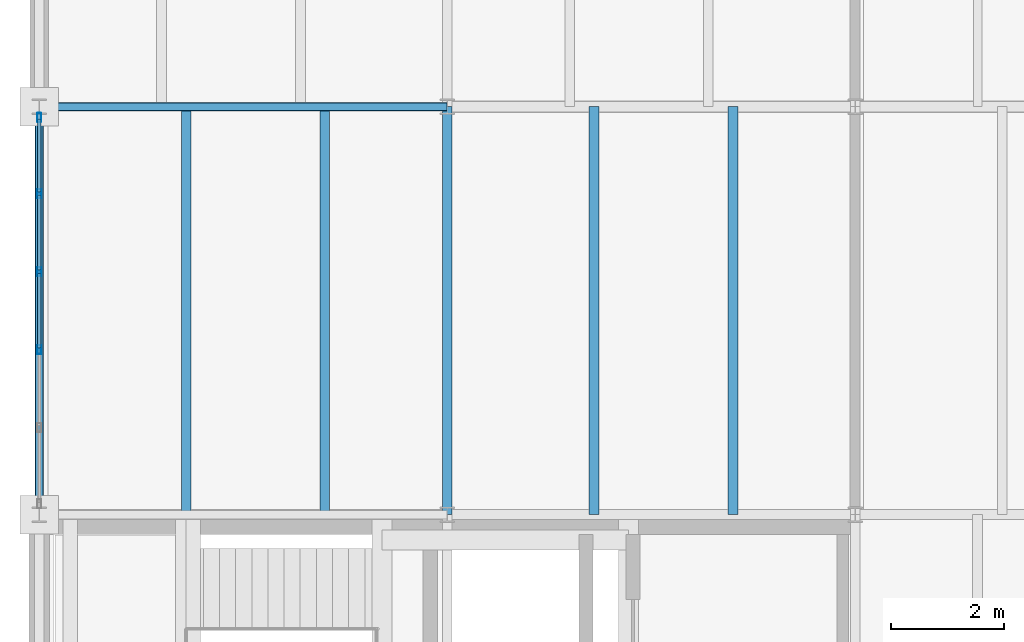
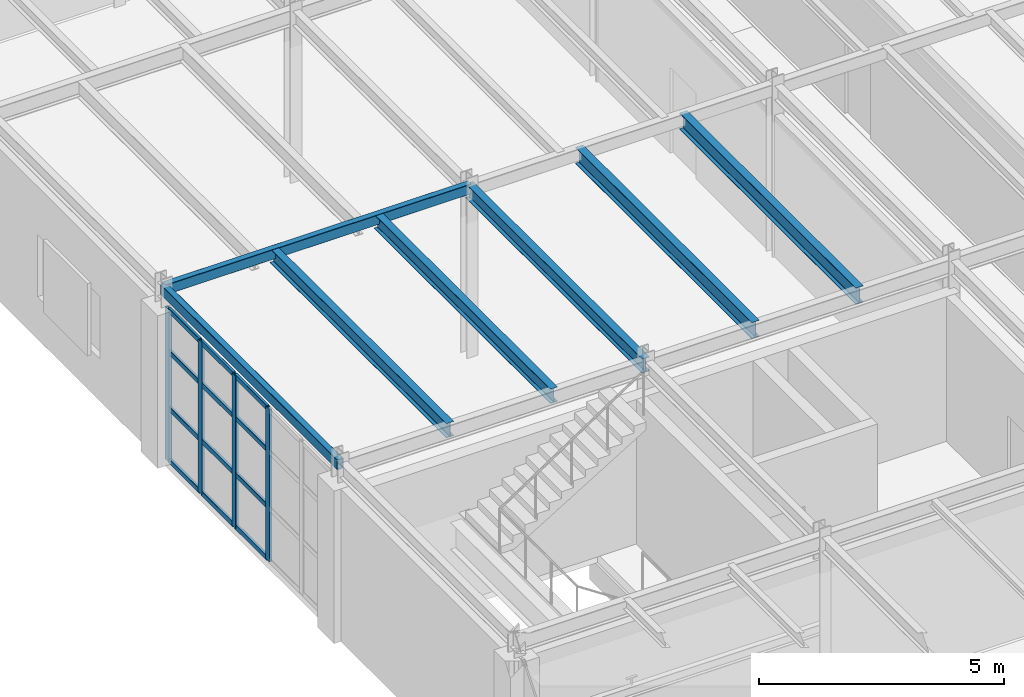
# One storey, part 21 of 101: 16 members, 7 beams, 1 element without a shape of its own.
"""IFC4 building model written with IfcOpenShell, lengths in metres."""

from ifc_helpers import new_model, si_unit, direction, frame, origin, origin_2d, place, context, subcontext, project, spatial, hollow_rectangle, i_section, extrude, material, layer, layer_set, material_profile, profile_set, type_object, element, aggregate, save


model = new_model("IFC4")

# Units and contexts
model_context = context("Model", 3, precision=1e-05, world=origin(), true_north=direction((0.0, 1.0)))
body_context = subcontext(model_context, "Body", "Model", "MODEL_VIEW")
ifc_project = project(units=[si_unit("LENGTHUNIT", "METRE"), si_unit("AREAUNIT", "SQUARE_METRE"), si_unit("VOLUMEUNIT", "CUBIC_METRE"), si_unit("PLANEANGLEUNIT", "RADIAN"), si_unit("MASSUNIT", "GRAM", prefix="KILO")], contexts=[model_context])

# Site, building, storey
site_placement = place(None, origin())
site = spatial("IfcSite", under=ifc_project, at=site_placement, CompositionType="ELEMENT")
building_placement = place(site_placement, origin())
building = spatial("IfcBuilding", under=site, at=building_placement, Name="Kemerveld Promenade Tramway Depot", CompositionType="ELEMENT")
storey_placement = place(building_placement, frame((0.0, 0.0, 9.89990234375)))
storey = spatial("IfcBuildingStorey", under=building, at=storey_placement, Name="L02", CompositionType="ELEMENT", Elevation=9.89990234375)

# Beams
ifc_material_1 = material(Name="Steel S355", Category="steel")
ifc_material_profile_1 = material_profile(ifc_material_1, i_section(OverallWidth=0.172119140625, OverallDepth=0.35791015625, WebThickness=0.008056640625, FlangeThickness=0.012939453125, FilletRadius=0.01025390625, at=origin_2d()), Name="356x171x57 UB")
ifc_profile_set_1 = profile_set([ifc_material_profile_1], Name="Steel S355")
beam_type_1 = type_object("IfcBeamType", Name="BM-G08", PredefinedType="BEAM", material=ifc_profile_set_1)
beam_1_placement = place(storey_placement, frame((7.199951171875, 21.60009765625, 4.10107421875), z_axis=(0.0, 1.0, 0.0), x_axis=(-1.0, 0.0, 0.0)))
element("IfcBeam", 1, at=beam_1_placement, inside=storey, type_object=beam_type_1, Name="BMY-L02-02-D-E", PredefinedType="BEAM", context=body_context, shape_type="SweptSolid", body=[
    extrude(i_section(OverallWidth=0.172119140625, OverallDepth=0.35791015625, WebThickness=0.008056640625, FlangeThickness=0.012939453125, FilletRadius=0.01025390625, at=origin_2d()), origin(), (0.0, 0.0, 1.0), 7.199951171875),
])
ifc_material_profile_2 = material_profile(ifc_material_1, hollow_rectangle(XDim=0.14990234375, YDim=0.25, WallThickness=0.010009765625, InnerFilletRadius=0.0048828125, OuterFilletRadius=0.014892578125, at=origin_2d()), Name="250x150x10.0 RHS")
ifc_profile_set_2 = profile_set([ifc_material_profile_2], Name="Steel S355")
beam_type_2 = type_object("IfcBeamType", Name="BM-G17", PredefinedType="BEAM", material=ifc_profile_set_2)
beam_2_placement = place(storey_placement, frame((0.0, 28.800048828125, 4.16015625), z_axis=(1.0, 0.0, 0.0), x_axis=(0.0, 1.0, 0.0)))
element("IfcBeam", 2, at=beam_2_placement, inside=storey, type_object=beam_type_2, Name="BMX-L02-01-02-E", PredefinedType="BEAM", context=body_context, shape_type="SweptSolid", body=[
    extrude(hollow_rectangle(XDim=0.14990234375, YDim=0.25, WallThickness=0.010009765625, InnerFilletRadius=0.0048828125, OuterFilletRadius=0.014892578125, at=origin_2d()), origin(), (0.0, 0.0, 1.0), 7.199951171875),
])
ifc_material_profile_3 = material_profile(ifc_material_1, i_section(OverallWidth=0.172119140625, OverallDepth=0.35791015625, WebThickness=0.008056640625, FlangeThickness=0.012939453125, FilletRadius=0.01025390625, at=origin_2d()), Name="356x171x57 UB")
ifc_profile_set_3 = profile_set([ifc_material_profile_3], Name="Steel S355")
beam_type_3 = type_object("IfcBeamType", Name="BM-J04", PredefinedType="JOIST", material=ifc_profile_set_3)
for number, where, z_axis, x_axis, name in (
    (3, (2.592041015625, 21.60009765625, 4.10107421875), (0.0, 1.0, 0.0), (-1.0, 0.0, 0.0), "JST-L02-01-D-1"),
    (4, (5.0400390625, 21.60009765625, 4.10107421875), (0.0, 1.0, 0.0), (-1.0, 0.0, 0.0), "JST-L02-01-D-2"),
):
    element("IfcBeam", number, at=place(storey_placement, frame(where, z_axis=z_axis, x_axis=x_axis)), inside=storey, type_object=beam_type_3, Name=name, PredefinedType="JOIST", context=body_context, shape_type="SweptSolid", body=[
        extrude(i_section(OverallWidth=0.172119140625, OverallDepth=0.35791015625, WebThickness=0.008056640625, FlangeThickness=0.012939453125, FilletRadius=0.01025390625, at=origin_2d()), origin(), (0.0, 0.0, 1.0), 7.199951171875),
    ])
ifc_material_profile_4 = material_profile(ifc_material_1, i_section(OverallWidth=0.1787109375, OverallDepth=0.409423828125, WebThickness=0.0087890625, FlangeThickness=0.014404296875, FilletRadius=0.01025390625, at=origin_2d()), Name="406x178x67 UB")
ifc_profile_set_4 = profile_set([ifc_material_profile_4], Name="Steel S355")
beam_type_4 = type_object("IfcBeamType", Name="BM-J05", PredefinedType="JOIST", material=ifc_profile_set_4)
for number, where, z_axis, x_axis, name in (
    (5, (9.7919921875, 21.60009765625, 4.075439453125), (0.0, 1.0, 0.0), (-1.0, 0.0, 0.0), "JST-L02-02-D-1"),
    (6, (12.239990234375, 21.60009765625, 4.075439453125), (0.0, 1.0, 0.0), (-1.0, 0.0, 0.0), "JST-L02-02-D-2"),
):
    element("IfcBeam", number, at=place(storey_placement, frame(where, z_axis=z_axis, x_axis=x_axis)), inside=storey, type_object=beam_type_4, Name=name, PredefinedType="JOIST", context=body_context, shape_type="SweptSolid", body=[
        extrude(i_section(OverallWidth=0.1787109375, OverallDepth=0.409423828125, WebThickness=0.0087890625, FlangeThickness=0.014404296875, FilletRadius=0.01025390625, at=origin_2d()), origin(), (0.0, 0.0, 1.0), 7.199951171875),
    ])
ifc_material_profile_5 = material_profile(ifc_material_1, hollow_rectangle(XDim=0.14990234375, YDim=0.25, WallThickness=0.010009765625, InnerFilletRadius=0.0048828125, OuterFilletRadius=0.014892578125, at=origin_2d()), Name="250x150x10.0 RHS")
ifc_profile_set_5 = profile_set([ifc_material_profile_5], Name="Steel S355")
beam_type_5 = type_object("IfcBeamType", Name="BM-SP2", PredefinedType="SPANDREL", material=ifc_profile_set_5)
beam_3_placement = place(storey_placement, frame((0.0, 21.60009765625, 4.155029296875), z_axis=(0.0, 1.0, 0.0), x_axis=(-1.0, 0.0, 0.0)))
element("IfcBeam", 7, at=beam_3_placement, inside=storey, type_object=beam_type_5, Name="BMY-L02-01-D-E", PredefinedType="SPANDREL", context=body_context, shape_type="SweptSolid", body=[
    extrude(hollow_rectangle(XDim=0.14990234375, YDim=0.25, WallThickness=0.010009765625, InnerFilletRadius=0.0048828125, OuterFilletRadius=0.014892578125, at=origin_2d()), origin(), (0.0, 0.0, 1.0), 7.199951171875),
])

# Curtain wall, members
ifc_material_2 = material(Name="Bronze anodised aluminium and solar glass", Category="aluminium")
ifc_layer = layer(ifc_material_2, 0.159912109375)
ifc_layer_set = layer_set([ifc_layer], Name="CW-SYS-07")
curtain_wall_type = type_object("IfcCurtainWallType", Name="CW-SYS-07", PredefinedType="USERDEFINED", material=ifc_layer_set)
curtain_wall_placement = place(storey_placement, origin())
curtain_wall = element("IfcCurtainWall", 8, at=curtain_wall_placement, inside=storey, type_object=curtain_wall_type, Name="CW-L02-V5W-04", ObjectType="GLAZED_CURTAIN_WALL", PredefinedType="USERDEFINED")
ifc_material_3 = material(Name="Bronze anodised aluminium", Category="aluminium")
ifc_material_profile_6 = material_profile(ifc_material_3, hollow_rectangle(XDim=0.06494140625, YDim=0.159912109375, WallThickness=0.00390625, InnerFilletRadius=0.001953125, OuterFilletRadius=0.00390625, at=origin_2d()), Name="CW-MUL-160x65")
ifc_profile_set_6 = profile_set([ifc_material_profile_6], Name="Bronze anodised aluminium")
member_type_1 = type_object("IfcMemberType", Name="CW-MUL-A", PredefinedType="MULLION", material=ifc_profile_set_6)
member_1_placement = place(storey_placement, frame((0.0, 24.51171875, 0.0), z_axis=(0.0, 0.0, 1.0), x_axis=(-1.0, 0.0, 0.0)))
member_1 = element("IfcMember", 9, at=member_1_placement, type_object=member_type_1, Name="CW07 mullion 3", PredefinedType="MULLION", context=body_context, shape_type="SweptSolid", body=[
    extrude(hollow_rectangle(XDim=0.06494140625, YDim=0.159912109375, WallThickness=0.00390625, InnerFilletRadius=0.001953125, OuterFilletRadius=0.00390625, at=origin_2d()), origin(), (0.0, 0.0, 1.0), 3.800048828125),
])
member_2_placement = place(storey_placement, frame((0.0, 25.888427734375, 0.0), z_axis=(0.0, 0.0, 1.0), x_axis=(-1.0, 0.0, 0.0)))
member_2 = element("IfcMember", 10, at=member_2_placement, type_object=member_type_1, Name="CW07 mullion 4", PredefinedType="MULLION", context=body_context, shape_type="SweptSolid", body=[
    extrude(hollow_rectangle(XDim=0.06494140625, YDim=0.159912109375, WallThickness=0.00390625, InnerFilletRadius=0.001953125, OuterFilletRadius=0.00390625, at=origin_2d()), origin(), (0.0, 0.0, 1.0), 3.800048828125),
])
member_3_placement = place(storey_placement, frame((0.0, 27.26513671875, 0.0), z_axis=(0.0, 0.0, 1.0), x_axis=(-1.0, 0.0, 0.0)))
member_3 = element("IfcMember", 11, at=member_3_placement, type_object=member_type_1, Name="CW07 mullion 5", PredefinedType="MULLION", context=body_context, shape_type="SweptSolid", body=[
    extrude(hollow_rectangle(XDim=0.06494140625, YDim=0.159912109375, WallThickness=0.00390625, InnerFilletRadius=0.001953125, OuterFilletRadius=0.00390625, at=origin_2d()), origin(), (0.0, 0.0, 1.0), 3.800048828125),
])
member_4_placement = place(storey_placement, frame((0.0, 28.609375, 0.0), z_axis=(0.0, 0.0, 1.0), x_axis=(-1.0, 0.0, 0.0)))
member_4 = element("IfcMember", 12, at=member_4_placement, type_object=member_type_1, Name="CW07 mullion 6", PredefinedType="MULLION", context=body_context, shape_type="SweptSolid", body=[
    extrude(hollow_rectangle(XDim=0.06494140625, YDim=0.159912109375, WallThickness=0.00390625, InnerFilletRadius=0.001953125, OuterFilletRadius=0.00390625, at=origin_2d()), origin(), (0.0, 0.0, 1.0), 3.800048828125),
])
ifc_material_profile_7 = material_profile(ifc_material_3, hollow_rectangle(XDim=0.06005859375, YDim=0.1201171875, WallThickness=0.00390625, InnerFilletRadius=0.001953125, OuterFilletRadius=0.00390625, at=origin_2d()), Name="CW-TRN-120x60")
ifc_profile_set_7 = profile_set([ifc_material_profile_7], Name="Bronze anodised aluminium")
member_type_2 = type_object("IfcMemberType", Name="CW-TRN-A", PredefinedType="USERDEFINED", material=ifc_profile_set_7)
member_5_placement = place(storey_placement, frame((0.0, 24.544189453125, 0.030029296875), z_axis=(0.0, 1.0, 0.0), x_axis=(-1.0, 0.0, 0.0)))
member_5 = element("IfcMember", 13, at=member_5_placement, type_object=member_type_2, Name="CW07 transom 3.1", ObjectType="TRANSOM", PredefinedType="USERDEFINED", context=body_context, shape_type="SweptSolid", body=[
    extrude(hollow_rectangle(XDim=0.06005859375, YDim=0.1201171875, WallThickness=0.00390625, InnerFilletRadius=0.001953125, OuterFilletRadius=0.00390625, at=origin_2d()), origin(), (0.0, 0.0, 1.0), 1.311767578125),
])
member_6_placement = place(storey_placement, frame((0.0, 24.544189453125, 1.330078125), z_axis=(0.0, 1.0, 0.0), x_axis=(-1.0, 0.0, 0.0)))
member_6 = element("IfcMember", 14, at=member_6_placement, type_object=member_type_2, Name="CW07 transom 3.2", ObjectType="TRANSOM", PredefinedType="USERDEFINED", context=body_context, shape_type="SweptSolid", body=[
    extrude(hollow_rectangle(XDim=0.06005859375, YDim=0.1201171875, WallThickness=0.00390625, InnerFilletRadius=0.001953125, OuterFilletRadius=0.00390625, at=origin_2d()), origin(), (0.0, 0.0, 1.0), 1.311767578125),
])
member_7_placement = place(storey_placement, frame((0.0, 24.544189453125, 2.736083984375), z_axis=(0.0, 1.0, 0.0), x_axis=(-1.0, 0.0, 0.0)))
member_7 = element("IfcMember", 15, at=member_7_placement, type_object=member_type_2, Name="CW07 transom 3.3", ObjectType="TRANSOM", PredefinedType="USERDEFINED", context=body_context, shape_type="SweptSolid", body=[
    extrude(hollow_rectangle(XDim=0.06005859375, YDim=0.1201171875, WallThickness=0.00390625, InnerFilletRadius=0.001953125, OuterFilletRadius=0.00390625, at=origin_2d()), origin(), (0.0, 0.0, 1.0), 1.311767578125),
])
member_8_placement = place(storey_placement, frame((0.0, 24.544189453125, 3.77001953125), z_axis=(0.0, 1.0, 0.0), x_axis=(-1.0, 0.0, 0.0)))
member_8 = element("IfcMember", 16, at=member_8_placement, type_object=member_type_2, Name="CW07 transom 3.4", ObjectType="TRANSOM", PredefinedType="USERDEFINED", context=body_context, shape_type="SweptSolid", body=[
    extrude(hollow_rectangle(XDim=0.06005859375, YDim=0.1201171875, WallThickness=0.00390625, InnerFilletRadius=0.001953125, OuterFilletRadius=0.00390625, at=origin_2d()), origin(), (0.0, 0.0, 1.0), 1.311767578125),
])
member_9_placement = place(storey_placement, frame((0.0, 25.9208984375, 0.030029296875), z_axis=(0.0, 1.0, 0.0), x_axis=(-1.0, 0.0, 0.0)))
member_9 = element("IfcMember", 17, at=member_9_placement, type_object=member_type_2, Name="CW07 transom 4.1", ObjectType="TRANSOM", PredefinedType="USERDEFINED", context=body_context, shape_type="SweptSolid", body=[
    extrude(hollow_rectangle(XDim=0.06005859375, YDim=0.1201171875, WallThickness=0.00390625, InnerFilletRadius=0.001953125, OuterFilletRadius=0.00390625, at=origin_2d()), origin(), (0.0, 0.0, 1.0), 1.311767578125),
])
member_10_placement = place(storey_placement, frame((0.0, 25.9208984375, 1.330078125), z_axis=(0.0, 1.0, 0.0), x_axis=(-1.0, 0.0, 0.0)))
member_10 = element("IfcMember", 18, at=member_10_placement, type_object=member_type_2, Name="CW07 transom 4.2", ObjectType="TRANSOM", PredefinedType="USERDEFINED", context=body_context, shape_type="SweptSolid", body=[
    extrude(hollow_rectangle(XDim=0.06005859375, YDim=0.1201171875, WallThickness=0.00390625, InnerFilletRadius=0.001953125, OuterFilletRadius=0.00390625, at=origin_2d()), origin(), (0.0, 0.0, 1.0), 1.311767578125),
])
member_11_placement = place(storey_placement, frame((0.0, 25.9208984375, 2.736083984375), z_axis=(0.0, 1.0, 0.0), x_axis=(-1.0, 0.0, 0.0)))
member_11 = element("IfcMember", 19, at=member_11_placement, type_object=member_type_2, Name="CW07 transom 4.3", ObjectType="TRANSOM", PredefinedType="USERDEFINED", context=body_context, shape_type="SweptSolid", body=[
    extrude(hollow_rectangle(XDim=0.06005859375, YDim=0.1201171875, WallThickness=0.00390625, InnerFilletRadius=0.001953125, OuterFilletRadius=0.00390625, at=origin_2d()), origin(), (0.0, 0.0, 1.0), 1.311767578125),
])
member_12_placement = place(storey_placement, frame((0.0, 25.9208984375, 3.77001953125), z_axis=(0.0, 1.0, 0.0), x_axis=(-1.0, 0.0, 0.0)))
member_12 = element("IfcMember", 20, at=member_12_placement, type_object=member_type_2, Name="CW07 transom 4.4", ObjectType="TRANSOM", PredefinedType="USERDEFINED", context=body_context, shape_type="SweptSolid", body=[
    extrude(hollow_rectangle(XDim=0.06005859375, YDim=0.1201171875, WallThickness=0.00390625, InnerFilletRadius=0.001953125, OuterFilletRadius=0.00390625, at=origin_2d()), origin(), (0.0, 0.0, 1.0), 1.311767578125),
])
member_13_placement = place(storey_placement, frame((0.0, 27.297607421875, 0.030029296875), z_axis=(0.0, 1.0, 0.0), x_axis=(-1.0, 0.0, 0.0)))
member_13 = element("IfcMember", 21, at=member_13_placement, type_object=member_type_2, Name="CW07 transom 5.1", ObjectType="TRANSOM", PredefinedType="USERDEFINED", context=body_context, shape_type="SweptSolid", body=[
    extrude(hollow_rectangle(XDim=0.06005859375, YDim=0.1201171875, WallThickness=0.00390625, InnerFilletRadius=0.001953125, OuterFilletRadius=0.00390625, at=origin_2d()), origin(), (0.0, 0.0, 1.0), 1.279296875),
])
member_14_placement = place(storey_placement, frame((0.0, 27.297607421875, 1.330078125), z_axis=(0.0, 1.0, 0.0), x_axis=(-1.0, 0.0, 0.0)))
member_14 = element("IfcMember", 22, at=member_14_placement, type_object=member_type_2, Name="CW07 transom 5.2", ObjectType="TRANSOM", PredefinedType="USERDEFINED", context=body_context, shape_type="SweptSolid", body=[
    extrude(hollow_rectangle(XDim=0.06005859375, YDim=0.1201171875, WallThickness=0.00390625, InnerFilletRadius=0.001953125, OuterFilletRadius=0.00390625, at=origin_2d()), origin(), (0.0, 0.0, 1.0), 1.279296875),
])
member_15_placement = place(storey_placement, frame((0.0, 27.297607421875, 2.736083984375), z_axis=(0.0, 1.0, 0.0), x_axis=(-1.0, 0.0, 0.0)))
member_15 = element("IfcMember", 23, at=member_15_placement, type_object=member_type_2, Name="CW07 transom 5.3", ObjectType="TRANSOM", PredefinedType="USERDEFINED", context=body_context, shape_type="SweptSolid", body=[
    extrude(hollow_rectangle(XDim=0.06005859375, YDim=0.1201171875, WallThickness=0.00390625, InnerFilletRadius=0.001953125, OuterFilletRadius=0.00390625, at=origin_2d()), origin(), (0.0, 0.0, 1.0), 1.279296875),
])
member_16_placement = place(storey_placement, frame((0.0, 27.297607421875, 3.77001953125), z_axis=(0.0, 1.0, 0.0), x_axis=(-1.0, 0.0, 0.0)))
member_16 = element("IfcMember", 24, at=member_16_placement, type_object=member_type_2, Name="CW07 transom 5.4", ObjectType="TRANSOM", PredefinedType="USERDEFINED", context=body_context, shape_type="SweptSolid", body=[
    extrude(hollow_rectangle(XDim=0.06005859375, YDim=0.1201171875, WallThickness=0.00390625, InnerFilletRadius=0.001953125, OuterFilletRadius=0.00390625, at=origin_2d()), origin(), (0.0, 0.0, 1.0), 1.279296875),
])
aggregate(curtain_wall, [member_1, member_2, member_3, member_4, member_5, member_6, member_7, member_8, member_9, member_10, member_11, member_12, member_13, member_14, member_15, member_16])

save(model, "model.ifc")
